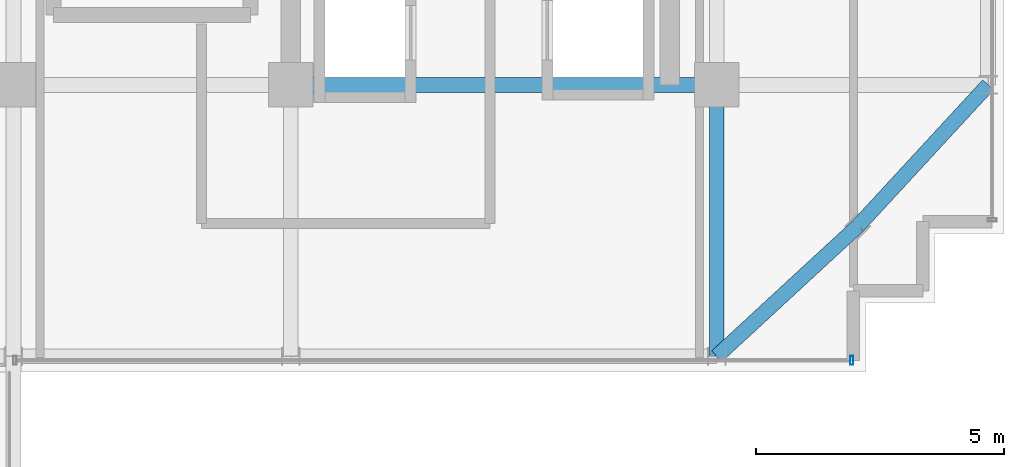
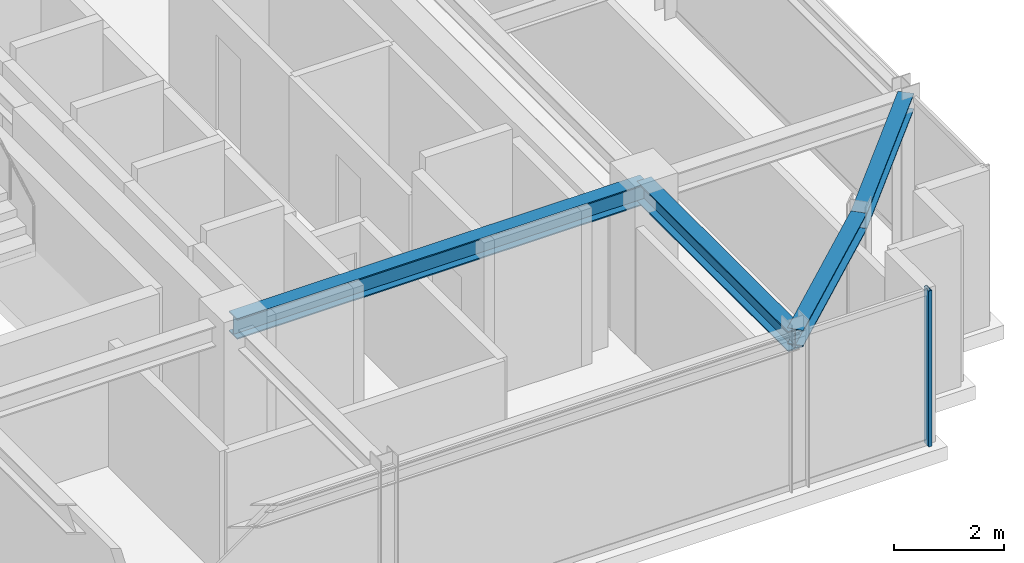
# One storey, part 12 of 31: 4 beams, 1 member, 1 element without a shape of its own.
"""IFC4 building model written with IfcOpenShell, lengths in metres."""

from ifc_helpers import new_model, si_unit, direction, frame, origin, origin_2d, place, context, subcontext, project, spatial, hollow_rectangle, i_section, extrude, source, transform, mapped, material, material_profile, profile_set, type_object, element, aggregate, save


model = new_model("IFC4")

# Units and contexts
model_context = context("Model", 3, precision=1e-05, world=origin(), true_north=direction((0.0, 1.0)))
body_context = subcontext(model_context, "Body", "Model", "MODEL_VIEW")
ifc_project = project(units=[si_unit("LENGTHUNIT", "METRE"), si_unit("AREAUNIT", "SQUARE_METRE"), si_unit("VOLUMEUNIT", "CUBIC_METRE"), si_unit("PLANEANGLEUNIT", "RADIAN"), si_unit("MASSUNIT", "GRAM", prefix="KILO")], contexts=[model_context])

# Site, building, storey
site_placement = place(None, origin())
site = spatial("IfcSite", under=ifc_project, at=site_placement, CompositionType="ELEMENT")
building_placement = place(site_placement, origin())
building = spatial("IfcBuilding", under=site, at=building_placement, Name="Nahalor Promenade Grand Hotel", CompositionType="ELEMENT")
storey_placement = place(building_placement, frame((0.0, 0.0, 277.550048828125)))
storey = spatial("IfcBuildingStorey", under=building, at=storey_placement, Name="L71", CompositionType="ELEMENT", Elevation=277.550048828125)

# Beams
ifc_material_1 = material(Name="Steel S355JR", Category="steel")
ifc_material_profile_1 = material_profile(ifc_material_1, i_section(OverallWidth=0.3, OverallDepth=0.45, WebThickness=0.014, FlangeThickness=0.026, at=origin_2d()), Name="HEB 450")
ifc_profile_set_1 = profile_set([ifc_material_profile_1], Name="Steel S355JR")
beam_type_1 = type_object("IfcBeamType", Name="Beam-Girder-HEB450", PredefinedType="BEAM", material=ifc_profile_set_1)
shared_shape_1 = source(origin(), body_context, "Body", "SweptSolid", [
    extrude(i_section(OverallWidth=0.3, OverallDepth=0.45, WebThickness=0.014, FlangeThickness=0.026, at=origin_2d()), origin(), (0.0, 0.0, 1.0), 8.60009765625),
])
beam_1_placement = place(storey_placement, frame((8.39990234375, -17.0, 3.224853515625), z_axis=(1.0, 0.0, 0.0), x_axis=(0.0, 1.0, 0.0)))
element("IfcBeam", 1, at=beam_1_placement, inside=storey, type_object=beam_type_1, Name="BM-L71-GX-0-5", PredefinedType="BEAM", context=body_context, shape_type="MappedRepresentation", body=[
    mapped(shared_shape_1, transform((0.0, 0.0, 0.0), scale=1.0)),
])
shared_shape_2 = source(origin(), body_context, "Body", "SweptSolid", [
    extrude(i_section(OverallWidth=0.3, OverallDepth=0.45, WebThickness=0.014, FlangeThickness=0.026, at=origin_2d()), origin(), (0.0, 0.0, 1.0), 5.47998046875),
])
beam_2_placement = place(storey_placement, frame((17.0, -22.47998046875, 3.224853515625), z_axis=(0.0, 1.0, 0.0), x_axis=(-1.0, 0.0, 0.0)))
element("IfcBeam", 2, at=beam_2_placement, inside=storey, type_object=beam_type_1, Name="BM-L71-GY-5-0", PredefinedType="BEAM", context=body_context, shape_type="MappedRepresentation", body=[
    mapped(shared_shape_2, transform((0.0, 0.0, 0.0), scale=1.0)),
])
ifc_material_profile_2 = material_profile(ifc_material_1, i_section(OverallWidth=0.3, OverallDepth=0.36, WebThickness=0.0125, FlangeThickness=0.0225, at=origin_2d()), Name="HEB 360")
ifc_profile_set_2 = profile_set([ifc_material_profile_2], Name="Steel S355JR")
beam_type_2 = type_object("IfcBeamType", Name="Beam-Spandrel-HEB360", PredefinedType="SPANDREL", material=ifc_profile_set_2)
shared_shape_3 = source(origin(), body_context, "Body", "SweptSolid", [
    extrude(i_section(OverallWidth=0.3, OverallDepth=0.36, WebThickness=0.0125, FlangeThickness=0.0225, at=origin_2d()), origin(), (0.0, 0.0, 1.0), 3.878173828125),
])
for number, where, z_axis, x_axis, name in (
    (3, (17.0, -22.47998046875, 3.27001953125), (0.73492893846, 0.678144125843, 0.0), (-0.678144125843, 0.73492893846, 0.0), "BM-L71-SPC-SE-1"),
    (4, (19.85009765625, -19.85009765625, 3.27001953125), (0.678144125843, 0.73492893846, 0.0), (-0.73492893846, 0.678144125843, 0.0), "BM-L71-SPC-SE-2"),
):
    element("IfcBeam", number, at=place(storey_placement, frame(where, z_axis=z_axis, x_axis=x_axis)), inside=storey, type_object=beam_type_2, Name=name, PredefinedType="SPANDREL", context=body_context, shape_type="MappedRepresentation", body=[
        mapped(shared_shape_3, transform((0.0, 0.0, 0.0), scale=1.0)),
    ])

# Curtain wall, member
ifc_material_2 = material(Name="Anodised Bronze Aluminium EN AW-6063 T6", Category="aluminium")
curtain_wall_type = type_object("IfcCurtainWallType", Name="CW2 Typical Hotel Flush Bronze Unitised Curtain Wall", PredefinedType="USERDEFINED", material=ifc_material_2)
curtain_wall_placement = place(storey_placement, origin())
curtain_wall = element("IfcCurtainWall", 5, at=curtain_wall_placement, inside=storey, type_object=curtain_wall_type, Name="L71 Curtain Wall CW-L71-S-3", ObjectType="UNITISED_CURTAIN_WALL", PredefinedType="USERDEFINED")
ifc_material_profile_3 = material_profile(ifc_material_2, hollow_rectangle(XDim=0.065, YDim=0.18, WallThickness=0.004, at=origin_2d()), Name="CWM 65x180x4")
ifc_profile_set_3 = profile_set([ifc_material_profile_3], Name="Anodised Bronze Aluminium EN AW-6063 T6")
member_type = type_object("IfcMemberType", Name="CWM2 Typical Bronze Mullion 65x180", PredefinedType="MULLION", material=ifc_profile_set_3)
shared_shape_4 = source(origin(), body_context, "Body", "SweptSolid", [
    extrude(hollow_rectangle(XDim=0.065, YDim=0.18, WallThickness=0.004, at=origin_2d()), origin(), (0.0, 0.0, 1.0), 3.449951171875),
])
member_placement = place(storey_placement, frame((19.7275390625, -22.56005859375, 0.0), z_axis=(0.0, 0.0, 1.0), x_axis=(1.0, 0.0, 0.0)))
member = element("IfcMember", 6, at=member_placement, type_object=member_type, Name="CW-L71-S-3 Mullion 1", PredefinedType="MULLION", context=body_context, shape_type="MappedRepresentation", body=[
    mapped(shared_shape_4, transform((0.0, 0.0, 0.0), scale=1.0)),
])
aggregate(curtain_wall, [member])

save(model, "model.ifc")
